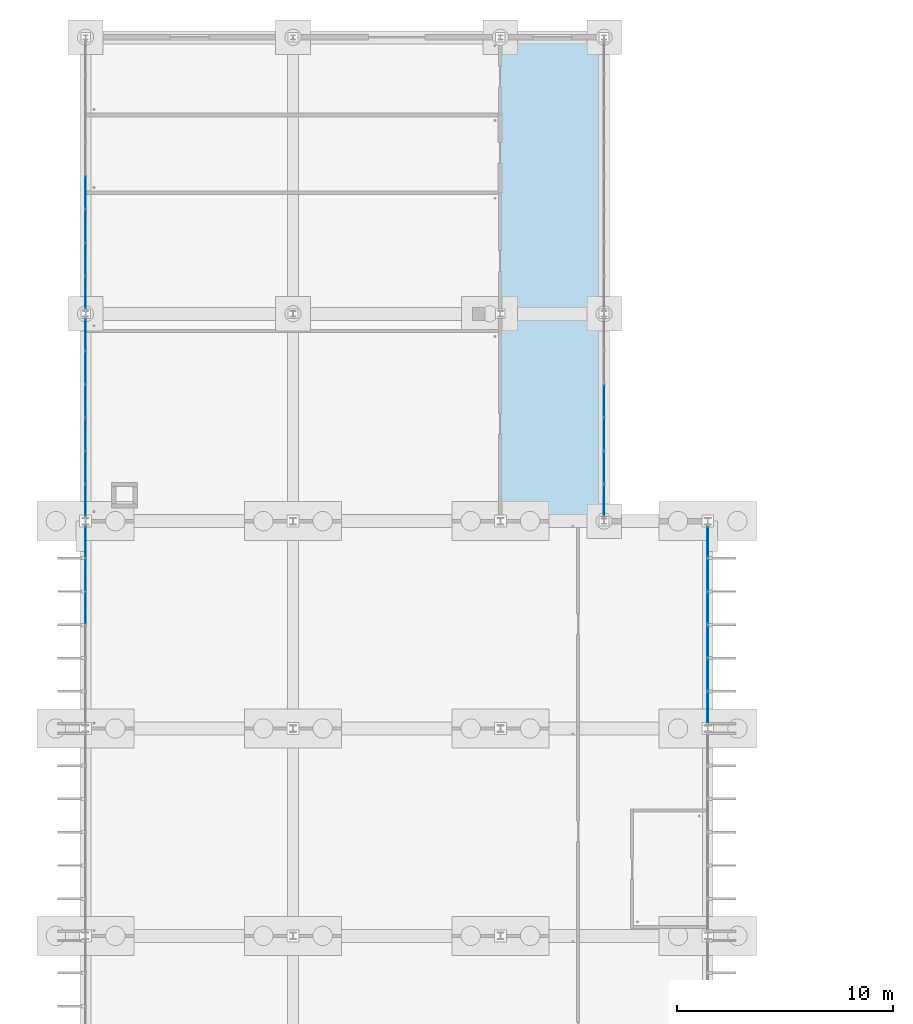
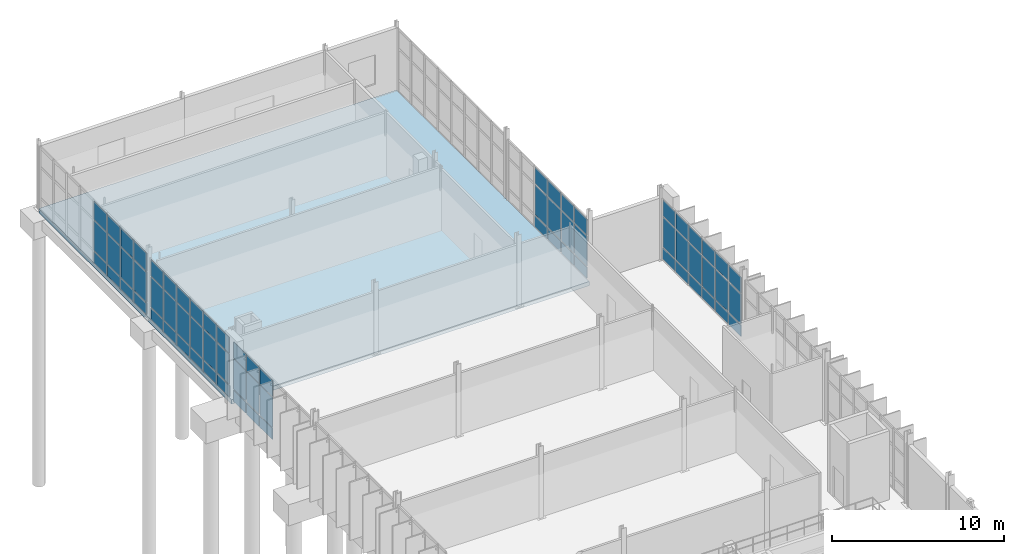
# One storey, part 47 of 111: 69 plates, 1 slab, 5 elements without a shape of their own.
"""IFC4 building model written with IfcOpenShell, lengths in metres."""

from ifc_helpers import new_model, si_unit, direction, frame, origin, origin_2d, place, context, subcontext, project, spatial, polyline, rectangle, outline, extrude, material, layer, layer_set, type_object, element, aggregate, save


model = new_model("IFC4")

# Units and contexts
model_context = context("Model", 3, precision=1e-05, world=origin(), true_north=direction((0.0, 1.0)))
body_context = subcontext(model_context, "Body", "Model", "MODEL_VIEW")
ifc_project = project(units=[si_unit("LENGTHUNIT", "METRE"), si_unit("AREAUNIT", "SQUARE_METRE"), si_unit("VOLUMEUNIT", "CUBIC_METRE"), si_unit("PLANEANGLEUNIT", "RADIAN"), si_unit("MASSUNIT", "GRAM", prefix="KILO")], contexts=[model_context])

# Site, building, storey
site_placement = place(None, origin())
site = spatial("IfcSite", under=ifc_project, at=site_placement, CompositionType="ELEMENT")
building_placement = place(site_placement, origin())
building = spatial("IfcBuilding", under=site, at=building_placement, Name="Dunescarp Central Library", CompositionType="ELEMENT")
storey_placement = place(building_placement, origin())
storey = spatial("IfcBuildingStorey", under=building, at=storey_placement, Name="L00", CompositionType="ELEMENT", Elevation=0.0)

# Curtain wall, plates
ifc_material_1 = material(Name="Marine-grade anodised aluminium 6063-T6", Category="aluminium")
curtain_wall_type = type_object("IfcCurtainWallType", Name="ARC-CW-STICK", PredefinedType="NOTDEFINED", material=ifc_material_1)
curtain_wall_1_placement = place(storey_placement, origin())
curtain_wall_1 = element("IfcCurtainWall", 1, at=curtain_wall_1_placement, inside=storey, type_object=curtain_wall_type, Name="L00 curtain wall CW-V4-116", PredefinedType="NOTDEFINED")
ifc_material_2 = material(Name="Solar-control laminated double glazing", Category="glass")
ifc_layer_1 = layer(ifc_material_2, 0.028076171875)
ifc_layer_set_1 = layer_set([ifc_layer_1], Name="Solar-control laminated double glazing")
plate_type_1 = type_object("IfcPlateType", Name="ARC-PLT-GLZ28", PredefinedType="CURTAIN_PANEL", material=ifc_layer_set_1)
plate_1_placement = place(storey_placement, frame((0.0, 85.57080078125, 0.93994140625), z_axis=(0.0, 0.0, 1.0), x_axis=(0.0, 1.0, 0.0)))
plate_1 = element("IfcPlate", 2, at=plate_1_placement, type_object=plate_type_1, Name="CW-V4-116 panel 4.2", PredefinedType="CURTAIN_PANEL", context=body_context, shape_type="SweptSolid", body=[
    extrude(rectangle(XDim=1.461669921875, YDim=0.028076171875, at=origin_2d()), origin(), (0.0, 0.0, 1.0), 2.1201171875),
])
plate_2_placement = place(storey_placement, frame((0.0, 85.57080078125, 3.14013671875), z_axis=(0.0, 0.0, 1.0), x_axis=(0.0, 1.0, 0.0)))
plate_2 = element("IfcPlate", 3, at=plate_2_placement, type_object=plate_type_1, Name="CW-V4-116 panel 4.3", PredefinedType="CURTAIN_PANEL", context=body_context, shape_type="SweptSolid", body=[
    extrude(rectangle(XDim=1.461669921875, YDim=0.028076171875, at=origin_2d()), origin(), (0.0, 0.0, 1.0), 1.135009765625),
])
plate_3_placement = place(storey_placement, frame((0.0, 87.112548828125, 0.93994140625), z_axis=(0.0, 0.0, 1.0), x_axis=(0.0, 1.0, 0.0)))
plate_3 = element("IfcPlate", 4, at=plate_3_placement, type_object=plate_type_1, Name="CW-V4-116 panel 5.2", PredefinedType="CURTAIN_PANEL", context=body_context, shape_type="SweptSolid", body=[
    extrude(rectangle(XDim=1.461669921875, YDim=0.028076171875, at=origin_2d()), origin(), (0.0, 0.0, 1.0), 2.1201171875),
])
plate_4_placement = place(storey_placement, frame((0.0, 87.112548828125, 3.14013671875), z_axis=(0.0, 0.0, 1.0), x_axis=(0.0, 1.0, 0.0)))
plate_4 = element("IfcPlate", 5, at=plate_4_placement, type_object=plate_type_1, Name="CW-V4-116 panel 5.3", PredefinedType="CURTAIN_PANEL", context=body_context, shape_type="SweptSolid", body=[
    extrude(rectangle(XDim=1.461669921875, YDim=0.028076171875, at=origin_2d()), origin(), (0.0, 0.0, 1.0), 1.135009765625),
])
plate_5_placement = place(storey_placement, frame((0.0, 88.63427734375, 0.93994140625), z_axis=(0.0, 0.0, 1.0), x_axis=(0.0, 1.0, 0.0)))
plate_5 = element("IfcPlate", 6, at=plate_5_placement, type_object=plate_type_1, Name="CW-V4-116 panel 6.2", PredefinedType="CURTAIN_PANEL", context=body_context, shape_type="SweptSolid", body=[
    extrude(rectangle(XDim=1.421630859375, YDim=0.028076171875, at=origin_2d()), origin(), (0.0, 0.0, 1.0), 2.1201171875),
])
plate_6_placement = place(storey_placement, frame((0.0, 88.63427734375, 3.14013671875), z_axis=(0.0, 0.0, 1.0), x_axis=(0.0, 1.0, 0.0)))
plate_6 = element("IfcPlate", 7, at=plate_6_placement, type_object=plate_type_1, Name="CW-V4-116 panel 6.3", PredefinedType="CURTAIN_PANEL", context=body_context, shape_type="SweptSolid", body=[
    extrude(rectangle(XDim=1.421630859375, YDim=0.028076171875, at=origin_2d()), origin(), (0.0, 0.0, 1.0), 1.135009765625),
])

curtain_wall_2_placement = place(storey_placement, origin())
curtain_wall_2 = element("IfcCurtainWall", 8, at=curtain_wall_2_placement, inside=storey, type_object=curtain_wall_type, Name="L00 curtain wall CW-V4-117", PredefinedType="NOTDEFINED")
plate_7_placement = place(storey_placement, frame((28.800048828125, 88.63427734375, 0.93994140625), z_axis=(0.0, 0.0, 1.0), x_axis=(0.0, -1.0, 0.0)))
plate_7 = element("IfcPlate", 9, at=plate_7_placement, type_object=plate_type_1, Name="CW-V4-117 panel 1.2", PredefinedType="CURTAIN_PANEL", context=body_context, shape_type="SweptSolid", body=[
    extrude(rectangle(XDim=1.421630859375, YDim=0.028076171875, at=origin_2d()), origin(), (0.0, 0.0, 1.0), 2.1201171875),
])
plate_8_placement = place(storey_placement, frame((28.800048828125, 88.63427734375, 3.14013671875), z_axis=(0.0, 0.0, 1.0), x_axis=(0.0, -1.0, 0.0)))
plate_8 = element("IfcPlate", 10, at=plate_8_placement, type_object=plate_type_1, Name="CW-V4-117 panel 1.3", PredefinedType="CURTAIN_PANEL", context=body_context, shape_type="SweptSolid", body=[
    extrude(rectangle(XDim=1.421630859375, YDim=0.028076171875, at=origin_2d()), origin(), (0.0, 0.0, 1.0), 1.135009765625),
])
plate_9_placement = place(storey_placement, frame((28.800048828125, 87.112548828125, 0.93994140625), z_axis=(0.0, 0.0, 1.0), x_axis=(0.0, -1.0, 0.0)))
plate_9 = element("IfcPlate", 11, at=plate_9_placement, type_object=plate_type_1, Name="CW-V4-117 panel 2.2", PredefinedType="CURTAIN_PANEL", context=body_context, shape_type="SweptSolid", body=[
    extrude(rectangle(XDim=1.461669921875, YDim=0.028076171875, at=origin_2d()), origin(), (0.0, 0.0, 1.0), 2.1201171875),
])
plate_10_placement = place(storey_placement, frame((28.800048828125, 87.112548828125, 3.14013671875), z_axis=(0.0, 0.0, 1.0), x_axis=(0.0, -1.0, 0.0)))
plate_10 = element("IfcPlate", 12, at=plate_10_placement, type_object=plate_type_1, Name="CW-V4-117 panel 2.3", PredefinedType="CURTAIN_PANEL", context=body_context, shape_type="SweptSolid", body=[
    extrude(rectangle(XDim=1.461669921875, YDim=0.028076171875, at=origin_2d()), origin(), (0.0, 0.0, 1.0), 1.135009765625),
])
plate_11_placement = place(storey_placement, frame((28.800048828125, 85.57080078125, 0.93994140625), z_axis=(0.0, 0.0, 1.0), x_axis=(0.0, -1.0, 0.0)))
plate_11 = element("IfcPlate", 13, at=plate_11_placement, type_object=plate_type_1, Name="CW-V4-117 panel 3.2", PredefinedType="CURTAIN_PANEL", context=body_context, shape_type="SweptSolid", body=[
    extrude(rectangle(XDim=1.461669921875, YDim=0.028076171875, at=origin_2d()), origin(), (0.0, 0.0, 1.0), 2.1201171875),
])
plate_12_placement = place(storey_placement, frame((28.800048828125, 85.57080078125, 3.14013671875), z_axis=(0.0, 0.0, 1.0), x_axis=(0.0, -1.0, 0.0)))
plate_12 = element("IfcPlate", 14, at=plate_12_placement, type_object=plate_type_1, Name="CW-V4-117 panel 3.3", PredefinedType="CURTAIN_PANEL", context=body_context, shape_type="SweptSolid", body=[
    extrude(rectangle(XDim=1.461669921875, YDim=0.028076171875, at=origin_2d()), origin(), (0.0, 0.0, 1.0), 1.135009765625),
])
plate_13_placement = place(storey_placement, frame((28.800048828125, 84.029052734375, 0.93994140625), z_axis=(0.0, 0.0, 1.0), x_axis=(0.0, -1.0, 0.0)))
plate_13 = element("IfcPlate", 15, at=plate_13_placement, type_object=plate_type_1, Name="CW-V4-117 panel 4.2", PredefinedType="CURTAIN_PANEL", context=body_context, shape_type="SweptSolid", body=[
    extrude(rectangle(XDim=1.461669921875, YDim=0.028076171875, at=origin_2d()), origin(), (0.0, 0.0, 1.0), 2.1201171875),
])
plate_14_placement = place(storey_placement, frame((28.800048828125, 84.029052734375, 3.14013671875), z_axis=(0.0, 0.0, 1.0), x_axis=(0.0, -1.0, 0.0)))
plate_14 = element("IfcPlate", 16, at=plate_14_placement, type_object=plate_type_1, Name="CW-V4-117 panel 4.3", PredefinedType="CURTAIN_PANEL", context=body_context, shape_type="SweptSolid", body=[
    extrude(rectangle(XDim=1.461669921875, YDim=0.028076171875, at=origin_2d()), origin(), (0.0, 0.0, 1.0), 1.135009765625),
])
plate_15_placement = place(storey_placement, frame((28.800048828125, 82.487548828125, 0.93994140625), z_axis=(0.0, 0.0, 1.0), x_axis=(0.0, -1.0, 0.0)))
plate_15 = element("IfcPlate", 17, at=plate_15_placement, type_object=plate_type_1, Name="CW-V4-117 panel 5.2", PredefinedType="CURTAIN_PANEL", context=body_context, shape_type="SweptSolid", body=[
    extrude(rectangle(XDim=1.461669921875, YDim=0.028076171875, at=origin_2d()), origin(), (0.0, 0.0, 1.0), 2.1201171875),
])
plate_16_placement = place(storey_placement, frame((28.800048828125, 82.487548828125, 3.14013671875), z_axis=(0.0, 0.0, 1.0), x_axis=(0.0, -1.0, 0.0)))
plate_16 = element("IfcPlate", 18, at=plate_16_placement, type_object=plate_type_1, Name="CW-V4-117 panel 5.3", PredefinedType="CURTAIN_PANEL", context=body_context, shape_type="SweptSolid", body=[
    extrude(rectangle(XDim=1.461669921875, YDim=0.028076171875, at=origin_2d()), origin(), (0.0, 0.0, 1.0), 1.135009765625),
])
plate_17_placement = place(storey_placement, frame((28.800048828125, 80.9658203125, 0.93994140625), z_axis=(0.0, 0.0, 1.0), x_axis=(0.0, -1.0, 0.0)))
plate_17 = element("IfcPlate", 19, at=plate_17_placement, type_object=plate_type_1, Name="CW-V4-117 panel 6.2", PredefinedType="CURTAIN_PANEL", context=body_context, shape_type="SweptSolid", body=[
    extrude(rectangle(XDim=1.421630859375, YDim=0.028076171875, at=origin_2d()), origin(), (0.0, 0.0, 1.0), 2.1201171875),
])
plate_18_placement = place(storey_placement, frame((28.800048828125, 80.9658203125, 3.14013671875), z_axis=(0.0, 0.0, 1.0), x_axis=(0.0, -1.0, 0.0)))
plate_18 = element("IfcPlate", 20, at=plate_18_placement, type_object=plate_type_1, Name="CW-V4-117 panel 6.3", PredefinedType="CURTAIN_PANEL", context=body_context, shape_type="SweptSolid", body=[
    extrude(rectangle(XDim=1.421630859375, YDim=0.028076171875, at=origin_2d()), origin(), (0.0, 0.0, 1.0), 1.135009765625),
])

curtain_wall_3_placement = place(storey_placement, origin())
curtain_wall_3 = element("IfcCurtainWall", 21, at=curtain_wall_3_placement, inside=storey, type_object=curtain_wall_type, Name="L00 curtain wall CW-V4N-138", PredefinedType="NOTDEFINED")
plate_19_placement = place(storey_placement, frame((0.0, 90.56591796875, 0.93994140625), z_axis=(0.0, 0.0, 1.0), x_axis=(0.0, 1.0, 0.0)))
plate_19 = element("IfcPlate", 22, at=plate_19_placement, type_object=plate_type_1, Name="CW-V4N-138 panel 1.2", PredefinedType="CURTAIN_PANEL", context=body_context, shape_type="SweptSolid", body=[
    extrude(rectangle(XDim=1.421630859375, YDim=0.028076171875, at=origin_2d()), origin(), (0.0, 0.0, 1.0), 2.1201171875),
])
plate_20_placement = place(storey_placement, frame((0.0, 90.56591796875, 3.14013671875), z_axis=(0.0, 0.0, 1.0), x_axis=(0.0, 1.0, 0.0)))
plate_20 = element("IfcPlate", 23, at=plate_20_placement, type_object=plate_type_1, Name="CW-V4N-138 panel 1.3", PredefinedType="CURTAIN_PANEL", context=body_context, shape_type="SweptSolid", body=[
    extrude(rectangle(XDim=1.421630859375, YDim=0.028076171875, at=origin_2d()), origin(), (0.0, 0.0, 1.0), 1.135009765625),
])
plate_21_placement = place(storey_placement, frame((0.0, 92.08740234375, 0.93994140625), z_axis=(0.0, 0.0, 1.0), x_axis=(0.0, 1.0, 0.0)))
plate_21 = element("IfcPlate", 24, at=plate_21_placement, type_object=plate_type_1, Name="CW-V4N-138 panel 2.2", PredefinedType="CURTAIN_PANEL", context=body_context, shape_type="SweptSolid", body=[
    extrude(rectangle(XDim=1.461669921875, YDim=0.028076171875, at=origin_2d()), origin(), (0.0, 0.0, 1.0), 2.1201171875),
])
plate_22_placement = place(storey_placement, frame((0.0, 92.08740234375, 3.14013671875), z_axis=(0.0, 0.0, 1.0), x_axis=(0.0, 1.0, 0.0)))
plate_22 = element("IfcPlate", 25, at=plate_22_placement, type_object=plate_type_1, Name="CW-V4N-138 panel 2.3", PredefinedType="CURTAIN_PANEL", context=body_context, shape_type="SweptSolid", body=[
    extrude(rectangle(XDim=1.461669921875, YDim=0.028076171875, at=origin_2d()), origin(), (0.0, 0.0, 1.0), 1.135009765625),
])
plate_23_placement = place(storey_placement, frame((0.0, 93.629150390625, 0.93994140625), z_axis=(0.0, 0.0, 1.0), x_axis=(0.0, 1.0, 0.0)))
plate_23 = element("IfcPlate", 26, at=plate_23_placement, type_object=plate_type_1, Name="CW-V4N-138 panel 3.2", PredefinedType="CURTAIN_PANEL", context=body_context, shape_type="SweptSolid", body=[
    extrude(rectangle(XDim=1.461669921875, YDim=0.028076171875, at=origin_2d()), origin(), (0.0, 0.0, 1.0), 2.1201171875),
])
plate_24_placement = place(storey_placement, frame((0.0, 93.629150390625, 3.14013671875), z_axis=(0.0, 0.0, 1.0), x_axis=(0.0, 1.0, 0.0)))
plate_24 = element("IfcPlate", 27, at=plate_24_placement, type_object=plate_type_1, Name="CW-V4N-138 panel 3.3", PredefinedType="CURTAIN_PANEL", context=body_context, shape_type="SweptSolid", body=[
    extrude(rectangle(XDim=1.461669921875, YDim=0.028076171875, at=origin_2d()), origin(), (0.0, 0.0, 1.0), 1.135009765625),
])
plate_25_placement = place(storey_placement, frame((0.0, 95.1708984375, 0.93994140625), z_axis=(0.0, 0.0, 1.0), x_axis=(0.0, 1.0, 0.0)))
plate_25 = element("IfcPlate", 28, at=plate_25_placement, type_object=plate_type_1, Name="CW-V4N-138 panel 4.2", PredefinedType="CURTAIN_PANEL", context=body_context, shape_type="SweptSolid", body=[
    extrude(rectangle(XDim=1.461669921875, YDim=0.028076171875, at=origin_2d()), origin(), (0.0, 0.0, 1.0), 2.1201171875),
])
plate_26_placement = place(storey_placement, frame((0.0, 95.1708984375, 3.14013671875), z_axis=(0.0, 0.0, 1.0), x_axis=(0.0, 1.0, 0.0)))
plate_26 = element("IfcPlate", 29, at=plate_26_placement, type_object=plate_type_1, Name="CW-V4N-138 panel 4.3", PredefinedType="CURTAIN_PANEL", context=body_context, shape_type="SweptSolid", body=[
    extrude(rectangle(XDim=1.461669921875, YDim=0.028076171875, at=origin_2d()), origin(), (0.0, 0.0, 1.0), 1.135009765625),
])
plate_27_placement = place(storey_placement, frame((0.0, 96.71240234375, 0.93994140625), z_axis=(0.0, 0.0, 1.0), x_axis=(0.0, 1.0, 0.0)))
plate_27 = element("IfcPlate", 30, at=plate_27_placement, type_object=plate_type_1, Name="CW-V4N-138 panel 5.2", PredefinedType="CURTAIN_PANEL", context=body_context, shape_type="SweptSolid", body=[
    extrude(rectangle(XDim=1.461669921875, YDim=0.028076171875, at=origin_2d()), origin(), (0.0, 0.0, 1.0), 2.1201171875),
])
plate_28_placement = place(storey_placement, frame((0.0, 96.71240234375, 3.14013671875), z_axis=(0.0, 0.0, 1.0), x_axis=(0.0, 1.0, 0.0)))
plate_28 = element("IfcPlate", 31, at=plate_28_placement, type_object=plate_type_1, Name="CW-V4N-138 panel 5.3", PredefinedType="CURTAIN_PANEL", context=body_context, shape_type="SweptSolid", body=[
    extrude(rectangle(XDim=1.461669921875, YDim=0.028076171875, at=origin_2d()), origin(), (0.0, 0.0, 1.0), 1.135009765625),
])
plate_29_placement = place(storey_placement, frame((0.0, 98.234130859375, 0.93994140625), z_axis=(0.0, 0.0, 1.0), x_axis=(0.0, 1.0, 0.0)))
plate_29 = element("IfcPlate", 32, at=plate_29_placement, type_object=plate_type_1, Name="CW-V4N-138 panel 6.2", PredefinedType="CURTAIN_PANEL", context=body_context, shape_type="SweptSolid", body=[
    extrude(rectangle(XDim=1.421630859375, YDim=0.028076171875, at=origin_2d()), origin(), (0.0, 0.0, 1.0), 2.1201171875),
])
plate_30_placement = place(storey_placement, frame((0.0, 98.234130859375, 3.14013671875), z_axis=(0.0, 0.0, 1.0), x_axis=(0.0, 1.0, 0.0)))
plate_30 = element("IfcPlate", 33, at=plate_30_placement, type_object=plate_type_1, Name="CW-V4N-138 panel 6.3", PredefinedType="CURTAIN_PANEL", context=body_context, shape_type="SweptSolid", body=[
    extrude(rectangle(XDim=1.421630859375, YDim=0.028076171875, at=origin_2d()), origin(), (0.0, 0.0, 1.0), 1.135009765625),
])

curtain_wall_4_placement = place(storey_placement, origin())
curtain_wall_4 = element("IfcCurtainWall", 34, at=curtain_wall_4_placement, inside=storey, type_object=curtain_wall_type, Name="L00 curtain wall CW-V4N-139", PredefinedType="NOTDEFINED")
plate_31_placement = place(storey_placement, frame((24.0, 95.1708984375, 0.93994140625), z_axis=(0.0, 0.0, 1.0), x_axis=(0.0, -1.0, 0.0)))
plate_31 = element("IfcPlate", 35, at=plate_31_placement, type_object=plate_type_1, Name="CW-V4N-139 panel 3.2", PredefinedType="CURTAIN_PANEL", context=body_context, shape_type="SweptSolid", body=[
    extrude(rectangle(XDim=1.461669921875, YDim=0.028076171875, at=origin_2d()), origin(), (0.0, 0.0, 1.0), 2.1201171875),
])
plate_32_placement = place(storey_placement, frame((24.0, 95.1708984375, 3.14013671875), z_axis=(0.0, 0.0, 1.0), x_axis=(0.0, -1.0, 0.0)))
plate_32 = element("IfcPlate", 36, at=plate_32_placement, type_object=plate_type_1, Name="CW-V4N-139 panel 3.3", PredefinedType="CURTAIN_PANEL", context=body_context, shape_type="SweptSolid", body=[
    extrude(rectangle(XDim=1.461669921875, YDim=0.028076171875, at=origin_2d()), origin(), (0.0, 0.0, 1.0), 1.135009765625),
])
plate_33_placement = place(storey_placement, frame((24.0, 93.629150390625, 0.93994140625), z_axis=(0.0, 0.0, 1.0), x_axis=(0.0, -1.0, 0.0)))
plate_33 = element("IfcPlate", 37, at=plate_33_placement, type_object=plate_type_1, Name="CW-V4N-139 panel 4.2", PredefinedType="CURTAIN_PANEL", context=body_context, shape_type="SweptSolid", body=[
    extrude(rectangle(XDim=1.461669921875, YDim=0.028076171875, at=origin_2d()), origin(), (0.0, 0.0, 1.0), 2.1201171875),
])
plate_34_placement = place(storey_placement, frame((24.0, 93.629150390625, 3.14013671875), z_axis=(0.0, 0.0, 1.0), x_axis=(0.0, -1.0, 0.0)))
plate_34 = element("IfcPlate", 38, at=plate_34_placement, type_object=plate_type_1, Name="CW-V4N-139 panel 4.3", PredefinedType="CURTAIN_PANEL", context=body_context, shape_type="SweptSolid", body=[
    extrude(rectangle(XDim=1.461669921875, YDim=0.028076171875, at=origin_2d()), origin(), (0.0, 0.0, 1.0), 1.135009765625),
])
plate_35_placement = place(storey_placement, frame((24.0, 92.08740234375, 0.93994140625), z_axis=(0.0, 0.0, 1.0), x_axis=(0.0, -1.0, 0.0)))
plate_35 = element("IfcPlate", 39, at=plate_35_placement, type_object=plate_type_1, Name="CW-V4N-139 panel 5.2", PredefinedType="CURTAIN_PANEL", context=body_context, shape_type="SweptSolid", body=[
    extrude(rectangle(XDim=1.461669921875, YDim=0.028076171875, at=origin_2d()), origin(), (0.0, 0.0, 1.0), 2.1201171875),
])
plate_36_placement = place(storey_placement, frame((24.0, 92.08740234375, 3.14013671875), z_axis=(0.0, 0.0, 1.0), x_axis=(0.0, -1.0, 0.0)))
plate_36 = element("IfcPlate", 40, at=plate_36_placement, type_object=plate_type_1, Name="CW-V4N-139 panel 5.3", PredefinedType="CURTAIN_PANEL", context=body_context, shape_type="SweptSolid", body=[
    extrude(rectangle(XDim=1.461669921875, YDim=0.028076171875, at=origin_2d()), origin(), (0.0, 0.0, 1.0), 1.135009765625),
])
plate_37_placement = place(storey_placement, frame((24.0, 90.56591796875, 0.93994140625), z_axis=(0.0, 0.0, 1.0), x_axis=(0.0, -1.0, 0.0)))
plate_37 = element("IfcPlate", 41, at=plate_37_placement, type_object=plate_type_1, Name="CW-V4N-139 panel 6.2", PredefinedType="CURTAIN_PANEL", context=body_context, shape_type="SweptSolid", body=[
    extrude(rectangle(XDim=1.421630859375, YDim=0.028076171875, at=origin_2d()), origin(), (0.0, 0.0, 1.0), 2.1201171875),
])
plate_38_placement = place(storey_placement, frame((24.0, 90.56591796875, 3.14013671875), z_axis=(0.0, 0.0, 1.0), x_axis=(0.0, -1.0, 0.0)))
plate_38 = element("IfcPlate", 42, at=plate_38_placement, type_object=plate_type_1, Name="CW-V4N-139 panel 6.3", PredefinedType="CURTAIN_PANEL", context=body_context, shape_type="SweptSolid", body=[
    extrude(rectangle(XDim=1.421630859375, YDim=0.028076171875, at=origin_2d()), origin(), (0.0, 0.0, 1.0), 1.135009765625),
])

curtain_wall_5_placement = place(storey_placement, origin())
curtain_wall_5 = element("IfcCurtainWall", 43, at=curtain_wall_5_placement, inside=storey, type_object=curtain_wall_type, Name="L00 curtain wall CW-V4N-140", PredefinedType="NOTDEFINED")
plate_39_placement = place(storey_placement, frame((0.0, 100.173095703125, 0.93994140625), z_axis=(0.0, 0.0, 1.0), x_axis=(0.0, 1.0, 0.0)))
plate_39 = element("IfcPlate", 44, at=plate_39_placement, type_object=plate_type_1, Name="CW-V4N-140 panel 1.2", PredefinedType="CURTAIN_PANEL", context=body_context, shape_type="SweptSolid", body=[
    extrude(rectangle(XDim=1.436279296875, YDim=0.028076171875, at=origin_2d()), origin(), (0.0, 0.0, 1.0), 2.1201171875),
])
plate_40_placement = place(storey_placement, frame((0.0, 100.173095703125, 3.14013671875), z_axis=(0.0, 0.0, 1.0), x_axis=(0.0, 1.0, 0.0)))
plate_40 = element("IfcPlate", 45, at=plate_40_placement, type_object=plate_type_1, Name="CW-V4N-140 panel 1.3", PredefinedType="CURTAIN_PANEL", context=body_context, shape_type="SweptSolid", body=[
    extrude(rectangle(XDim=1.436279296875, YDim=0.028076171875, at=origin_2d()), origin(), (0.0, 0.0, 1.0), 1.27490234375),
])
plate_41_placement = place(storey_placement, frame((0.0, 101.70947265625, 0.93994140625), z_axis=(0.0, 0.0, 1.0), x_axis=(0.0, 1.0, 0.0)))
plate_41 = element("IfcPlate", 46, at=plate_41_placement, type_object=plate_type_1, Name="CW-V4N-140 panel 2.2", PredefinedType="CURTAIN_PANEL", context=body_context, shape_type="SweptSolid", body=[
    extrude(rectangle(XDim=1.476318359375, YDim=0.028076171875, at=origin_2d()), origin(), (0.0, 0.0, 1.0), 2.1201171875),
])
plate_42_placement = place(storey_placement, frame((0.0, 101.70947265625, 3.14013671875), z_axis=(0.0, 0.0, 1.0), x_axis=(0.0, 1.0, 0.0)))
plate_42 = element("IfcPlate", 47, at=plate_42_placement, type_object=plate_type_1, Name="CW-V4N-140 panel 2.3", PredefinedType="CURTAIN_PANEL", context=body_context, shape_type="SweptSolid", body=[
    extrude(rectangle(XDim=1.476318359375, YDim=0.028076171875, at=origin_2d()), origin(), (0.0, 0.0, 1.0), 1.27490234375),
])
plate_43_placement = place(storey_placement, frame((0.0, 103.265625, 0.93994140625), z_axis=(0.0, 0.0, 1.0), x_axis=(0.0, 1.0, 0.0)))
plate_43 = element("IfcPlate", 48, at=plate_43_placement, type_object=plate_type_1, Name="CW-V4N-140 panel 3.2", PredefinedType="CURTAIN_PANEL", context=body_context, shape_type="SweptSolid", body=[
    extrude(rectangle(XDim=1.476318359375, YDim=0.028076171875, at=origin_2d()), origin(), (0.0, 0.0, 1.0), 2.1201171875),
])
plate_44_placement = place(storey_placement, frame((0.0, 103.265625, 3.14013671875), z_axis=(0.0, 0.0, 1.0), x_axis=(0.0, 1.0, 0.0)))
plate_44 = element("IfcPlate", 49, at=plate_44_placement, type_object=plate_type_1, Name="CW-V4N-140 panel 3.3", PredefinedType="CURTAIN_PANEL", context=body_context, shape_type="SweptSolid", body=[
    extrude(rectangle(XDim=1.476318359375, YDim=0.028076171875, at=origin_2d()), origin(), (0.0, 0.0, 1.0), 1.27490234375),
])
plate_45_placement = place(storey_placement, frame((0.0, 104.82177734375, 0.93994140625), z_axis=(0.0, 0.0, 1.0), x_axis=(0.0, 1.0, 0.0)))
plate_45 = element("IfcPlate", 50, at=plate_45_placement, type_object=plate_type_1, Name="CW-V4N-140 panel 4.2", PredefinedType="CURTAIN_PANEL", context=body_context, shape_type="SweptSolid", body=[
    extrude(rectangle(XDim=1.476318359375, YDim=0.028076171875, at=origin_2d()), origin(), (0.0, 0.0, 1.0), 2.1201171875),
])
plate_46_placement = place(storey_placement, frame((0.0, 104.82177734375, 3.14013671875), z_axis=(0.0, 0.0, 1.0), x_axis=(0.0, 1.0, 0.0)))
plate_46 = element("IfcPlate", 51, at=plate_46_placement, type_object=plate_type_1, Name="CW-V4N-140 panel 4.3", PredefinedType="CURTAIN_PANEL", context=body_context, shape_type="SweptSolid", body=[
    extrude(rectangle(XDim=1.476318359375, YDim=0.028076171875, at=origin_2d()), origin(), (0.0, 0.0, 1.0), 1.27490234375),
])

# Plate
ifc_layer_2 = layer(ifc_material_1, 0.050048828125)
ifc_layer_set_2 = layer_set([ifc_layer_2], Name="Marine-grade anodised aluminium 6063-T6")
plate_type_2 = type_object("IfcPlateType", Name="ARC-PLT-SPN50", PredefinedType="SHEET", material=ifc_layer_set_2)
plate_47_placement = place(storey_placement, frame((0.0, 85.57080078125, 0.080078125), z_axis=(0.0, 0.0, 1.0), x_axis=(0.0, 1.0, 0.0)))
plate_47 = element("IfcPlate", 52, at=plate_47_placement, type_object=plate_type_2, Name="CW-V4-116 panel 4.1", PredefinedType="SHEET", context=body_context, shape_type="SweptSolid", body=[
    extrude(rectangle(XDim=1.461669921875, YDim=0.050048828125, at=origin_2d()), origin(), (0.0, 0.0, 1.0), 0.780029296875),
])

plate_48_placement = place(storey_placement, frame((0.0, 87.112548828125, 0.080078125), z_axis=(0.0, 0.0, 1.0), x_axis=(0.0, 1.0, 0.0)))
plate_48 = element("IfcPlate", 53, at=plate_48_placement, type_object=plate_type_2, Name="CW-V4-116 panel 5.1", PredefinedType="SHEET", context=body_context, shape_type="SweptSolid", body=[
    extrude(rectangle(XDim=1.461669921875, YDim=0.050048828125, at=origin_2d()), origin(), (0.0, 0.0, 1.0), 0.780029296875),
])

plate_49_placement = place(storey_placement, frame((0.0, 88.63427734375, 0.080078125), z_axis=(0.0, 0.0, 1.0), x_axis=(0.0, 1.0, 0.0)))
plate_49 = element("IfcPlate", 54, at=plate_49_placement, type_object=plate_type_2, Name="CW-V4-116 panel 6.1", PredefinedType="SHEET", context=body_context, shape_type="SweptSolid", body=[
    extrude(rectangle(XDim=1.421630859375, YDim=0.050048828125, at=origin_2d()), origin(), (0.0, 0.0, 1.0), 0.780029296875),
])

aggregate(curtain_wall_1, [plate_47, plate_1, plate_2, plate_48, plate_3, plate_4, plate_49, plate_5, plate_6])

plate_50_placement = place(storey_placement, frame((28.800048828125, 88.63427734375, 0.080078125), z_axis=(0.0, 0.0, 1.0), x_axis=(0.0, -1.0, 0.0)))
plate_50 = element("IfcPlate", 55, at=plate_50_placement, type_object=plate_type_2, Name="CW-V4-117 panel 1.1", PredefinedType="SHEET", context=body_context, shape_type="SweptSolid", body=[
    extrude(rectangle(XDim=1.421630859375, YDim=0.050048828125, at=origin_2d()), origin(), (0.0, 0.0, 1.0), 0.780029296875),
])

plate_51_placement = place(storey_placement, frame((28.800048828125, 87.112548828125, 0.080078125), z_axis=(0.0, 0.0, 1.0), x_axis=(0.0, -1.0, 0.0)))
plate_51 = element("IfcPlate", 56, at=plate_51_placement, type_object=plate_type_2, Name="CW-V4-117 panel 2.1", PredefinedType="SHEET", context=body_context, shape_type="SweptSolid", body=[
    extrude(rectangle(XDim=1.461669921875, YDim=0.050048828125, at=origin_2d()), origin(), (0.0, 0.0, 1.0), 0.780029296875),
])

plate_52_placement = place(storey_placement, frame((28.800048828125, 85.57080078125, 0.080078125), z_axis=(0.0, 0.0, 1.0), x_axis=(0.0, -1.0, 0.0)))
plate_52 = element("IfcPlate", 57, at=plate_52_placement, type_object=plate_type_2, Name="CW-V4-117 panel 3.1", PredefinedType="SHEET", context=body_context, shape_type="SweptSolid", body=[
    extrude(rectangle(XDim=1.461669921875, YDim=0.050048828125, at=origin_2d()), origin(), (0.0, 0.0, 1.0), 0.780029296875),
])

plate_53_placement = place(storey_placement, frame((28.800048828125, 84.029052734375, 0.080078125), z_axis=(0.0, 0.0, 1.0), x_axis=(0.0, -1.0, 0.0)))
plate_53 = element("IfcPlate", 58, at=plate_53_placement, type_object=plate_type_2, Name="CW-V4-117 panel 4.1", PredefinedType="SHEET", context=body_context, shape_type="SweptSolid", body=[
    extrude(rectangle(XDim=1.461669921875, YDim=0.050048828125, at=origin_2d()), origin(), (0.0, 0.0, 1.0), 0.780029296875),
])

plate_54_placement = place(storey_placement, frame((28.800048828125, 82.487548828125, 0.080078125), z_axis=(0.0, 0.0, 1.0), x_axis=(0.0, -1.0, 0.0)))
plate_54 = element("IfcPlate", 59, at=plate_54_placement, type_object=plate_type_2, Name="CW-V4-117 panel 5.1", PredefinedType="SHEET", context=body_context, shape_type="SweptSolid", body=[
    extrude(rectangle(XDim=1.461669921875, YDim=0.050048828125, at=origin_2d()), origin(), (0.0, 0.0, 1.0), 0.780029296875),
])

plate_55_placement = place(storey_placement, frame((28.800048828125, 80.9658203125, 0.080078125), z_axis=(0.0, 0.0, 1.0), x_axis=(0.0, -1.0, 0.0)))
plate_55 = element("IfcPlate", 60, at=plate_55_placement, type_object=plate_type_2, Name="CW-V4-117 panel 6.1", PredefinedType="SHEET", context=body_context, shape_type="SweptSolid", body=[
    extrude(rectangle(XDim=1.421630859375, YDim=0.050048828125, at=origin_2d()), origin(), (0.0, 0.0, 1.0), 0.780029296875),
])

aggregate(curtain_wall_2, [plate_50, plate_7, plate_8, plate_51, plate_9, plate_10, plate_52, plate_11, plate_12, plate_53, plate_13, plate_14, plate_54, plate_15, plate_16, plate_55, plate_17, plate_18])

plate_56_placement = place(storey_placement, frame((0.0, 90.56591796875, 0.080078125), z_axis=(0.0, 0.0, 1.0), x_axis=(0.0, 1.0, 0.0)))
plate_56 = element("IfcPlate", 61, at=plate_56_placement, type_object=plate_type_2, Name="CW-V4N-138 panel 1.1", PredefinedType="SHEET", context=body_context, shape_type="SweptSolid", body=[
    extrude(rectangle(XDim=1.421630859375, YDim=0.050048828125, at=origin_2d()), origin(), (0.0, 0.0, 1.0), 0.780029296875),
])

plate_57_placement = place(storey_placement, frame((0.0, 92.08740234375, 0.080078125), z_axis=(0.0, 0.0, 1.0), x_axis=(0.0, 1.0, 0.0)))
plate_57 = element("IfcPlate", 62, at=plate_57_placement, type_object=plate_type_2, Name="CW-V4N-138 panel 2.1", PredefinedType="SHEET", context=body_context, shape_type="SweptSolid", body=[
    extrude(rectangle(XDim=1.461669921875, YDim=0.050048828125, at=origin_2d()), origin(), (0.0, 0.0, 1.0), 0.780029296875),
])

plate_58_placement = place(storey_placement, frame((0.0, 93.629150390625, 0.080078125), z_axis=(0.0, 0.0, 1.0), x_axis=(0.0, 1.0, 0.0)))
plate_58 = element("IfcPlate", 63, at=plate_58_placement, type_object=plate_type_2, Name="CW-V4N-138 panel 3.1", PredefinedType="SHEET", context=body_context, shape_type="SweptSolid", body=[
    extrude(rectangle(XDim=1.461669921875, YDim=0.050048828125, at=origin_2d()), origin(), (0.0, 0.0, 1.0), 0.780029296875),
])

plate_59_placement = place(storey_placement, frame((0.0, 95.1708984375, 0.080078125), z_axis=(0.0, 0.0, 1.0), x_axis=(0.0, 1.0, 0.0)))
plate_59 = element("IfcPlate", 64, at=plate_59_placement, type_object=plate_type_2, Name="CW-V4N-138 panel 4.1", PredefinedType="SHEET", context=body_context, shape_type="SweptSolid", body=[
    extrude(rectangle(XDim=1.461669921875, YDim=0.050048828125, at=origin_2d()), origin(), (0.0, 0.0, 1.0), 0.780029296875),
])

plate_60_placement = place(storey_placement, frame((0.0, 96.71240234375, 0.080078125), z_axis=(0.0, 0.0, 1.0), x_axis=(0.0, 1.0, 0.0)))
plate_60 = element("IfcPlate", 65, at=plate_60_placement, type_object=plate_type_2, Name="CW-V4N-138 panel 5.1", PredefinedType="SHEET", context=body_context, shape_type="SweptSolid", body=[
    extrude(rectangle(XDim=1.461669921875, YDim=0.050048828125, at=origin_2d()), origin(), (0.0, 0.0, 1.0), 0.780029296875),
])

plate_61_placement = place(storey_placement, frame((0.0, 98.234130859375, 0.080078125), z_axis=(0.0, 0.0, 1.0), x_axis=(0.0, 1.0, 0.0)))
plate_61 = element("IfcPlate", 66, at=plate_61_placement, type_object=plate_type_2, Name="CW-V4N-138 panel 6.1", PredefinedType="SHEET", context=body_context, shape_type="SweptSolid", body=[
    extrude(rectangle(XDim=1.421630859375, YDim=0.050048828125, at=origin_2d()), origin(), (0.0, 0.0, 1.0), 0.780029296875),
])

aggregate(curtain_wall_3, [plate_56, plate_19, plate_20, plate_57, plate_21, plate_22, plate_58, plate_23, plate_24, plate_59, plate_25, plate_26, plate_60, plate_27, plate_28, plate_61, plate_29, plate_30])

plate_62_placement = place(storey_placement, frame((24.0, 95.1708984375, 0.080078125), z_axis=(0.0, 0.0, 1.0), x_axis=(0.0, -1.0, 0.0)))
plate_62 = element("IfcPlate", 67, at=plate_62_placement, type_object=plate_type_2, Name="CW-V4N-139 panel 3.1", PredefinedType="SHEET", context=body_context, shape_type="SweptSolid", body=[
    extrude(rectangle(XDim=1.461669921875, YDim=0.050048828125, at=origin_2d()), origin(), (0.0, 0.0, 1.0), 0.780029296875),
])

plate_63_placement = place(storey_placement, frame((24.0, 93.629150390625, 0.080078125), z_axis=(0.0, 0.0, 1.0), x_axis=(0.0, -1.0, 0.0)))
plate_63 = element("IfcPlate", 68, at=plate_63_placement, type_object=plate_type_2, Name="CW-V4N-139 panel 4.1", PredefinedType="SHEET", context=body_context, shape_type="SweptSolid", body=[
    extrude(rectangle(XDim=1.461669921875, YDim=0.050048828125, at=origin_2d()), origin(), (0.0, 0.0, 1.0), 0.780029296875),
])

plate_64_placement = place(storey_placement, frame((24.0, 92.08740234375, 0.080078125), z_axis=(0.0, 0.0, 1.0), x_axis=(0.0, -1.0, 0.0)))
plate_64 = element("IfcPlate", 69, at=plate_64_placement, type_object=plate_type_2, Name="CW-V4N-139 panel 5.1", PredefinedType="SHEET", context=body_context, shape_type="SweptSolid", body=[
    extrude(rectangle(XDim=1.461669921875, YDim=0.050048828125, at=origin_2d()), origin(), (0.0, 0.0, 1.0), 0.780029296875),
])

plate_65_placement = place(storey_placement, frame((24.0, 90.56591796875, 0.080078125), z_axis=(0.0, 0.0, 1.0), x_axis=(0.0, -1.0, 0.0)))
plate_65 = element("IfcPlate", 70, at=plate_65_placement, type_object=plate_type_2, Name="CW-V4N-139 panel 6.1", PredefinedType="SHEET", context=body_context, shape_type="SweptSolid", body=[
    extrude(rectangle(XDim=1.421630859375, YDim=0.050048828125, at=origin_2d()), origin(), (0.0, 0.0, 1.0), 0.780029296875),
])

aggregate(curtain_wall_4, [plate_62, plate_31, plate_32, plate_63, plate_33, plate_34, plate_64, plate_35, plate_36, plate_65, plate_37, plate_38])

plate_66_placement = place(storey_placement, frame((0.0, 100.173095703125, 0.080078125), z_axis=(0.0, 0.0, 1.0), x_axis=(0.0, 1.0, 0.0)))
plate_66 = element("IfcPlate", 71, at=plate_66_placement, type_object=plate_type_2, Name="CW-V4N-140 panel 1.1", PredefinedType="SHEET", context=body_context, shape_type="SweptSolid", body=[
    extrude(rectangle(XDim=1.436279296875, YDim=0.050048828125, at=origin_2d()), origin(), (0.0, 0.0, 1.0), 0.780029296875),
])

plate_67_placement = place(storey_placement, frame((0.0, 101.70947265625, 0.080078125), z_axis=(0.0, 0.0, 1.0), x_axis=(0.0, 1.0, 0.0)))
plate_67 = element("IfcPlate", 72, at=plate_67_placement, type_object=plate_type_2, Name="CW-V4N-140 panel 2.1", PredefinedType="SHEET", context=body_context, shape_type="SweptSolid", body=[
    extrude(rectangle(XDim=1.476318359375, YDim=0.050048828125, at=origin_2d()), origin(), (0.0, 0.0, 1.0), 0.780029296875),
])

plate_68_placement = place(storey_placement, frame((0.0, 103.265625, 0.080078125), z_axis=(0.0, 0.0, 1.0), x_axis=(0.0, 1.0, 0.0)))
plate_68 = element("IfcPlate", 73, at=plate_68_placement, type_object=plate_type_2, Name="CW-V4N-140 panel 3.1", PredefinedType="SHEET", context=body_context, shape_type="SweptSolid", body=[
    extrude(rectangle(XDim=1.476318359375, YDim=0.050048828125, at=origin_2d()), origin(), (0.0, 0.0, 1.0), 0.780029296875),
])

plate_69_placement = place(storey_placement, frame((0.0, 104.82177734375, 0.080078125), z_axis=(0.0, 0.0, 1.0), x_axis=(0.0, 1.0, 0.0)))
plate_69 = element("IfcPlate", 74, at=plate_69_placement, type_object=plate_type_2, Name="CW-V4N-140 panel 4.1", PredefinedType="SHEET", context=body_context, shape_type="SweptSolid", body=[
    extrude(rectangle(XDim=1.476318359375, YDim=0.050048828125, at=origin_2d()), origin(), (0.0, 0.0, 1.0), 0.780029296875),
])

aggregate(curtain_wall_5, [plate_66, plate_39, plate_40, plate_67, plate_41, plate_42, plate_68, plate_43, plate_44, plate_69, plate_45, plate_46])

# Slab
ifc_material_3 = material(Name="Concrete C35/45", Category="concrete")
ifc_layer_3 = layer(ifc_material_3, 0.300048828125)
ifc_layer_set_3 = layer_set([ifc_layer_3], Name="Concrete C35/45")
slab_type = type_object("IfcSlabType", Name="STR-SLB-BASE300", PredefinedType="BASESLAB", material=ifc_layer_set_3)
slab_placement = place(storey_placement, frame((0.0, 0.0, -0.300048828125)))
element("IfcSlab", 75, at=slab_placement, inside=storey, type_object=slab_type, Name="L00 V4N slab", PredefinedType="BASESLAB", context=body_context, shape_type="SweptSolid", body=[
    extrude(outline(polyline([(0.0, 89.60009765625), (24.0, 89.60009765625), (24.0, 112.0), (0.0, 112.0), (0.0, 89.60009765625)])), origin(), (0.0, 0.0, 1.0), 0.300048828125),
])

save(model, "model.ifc")
